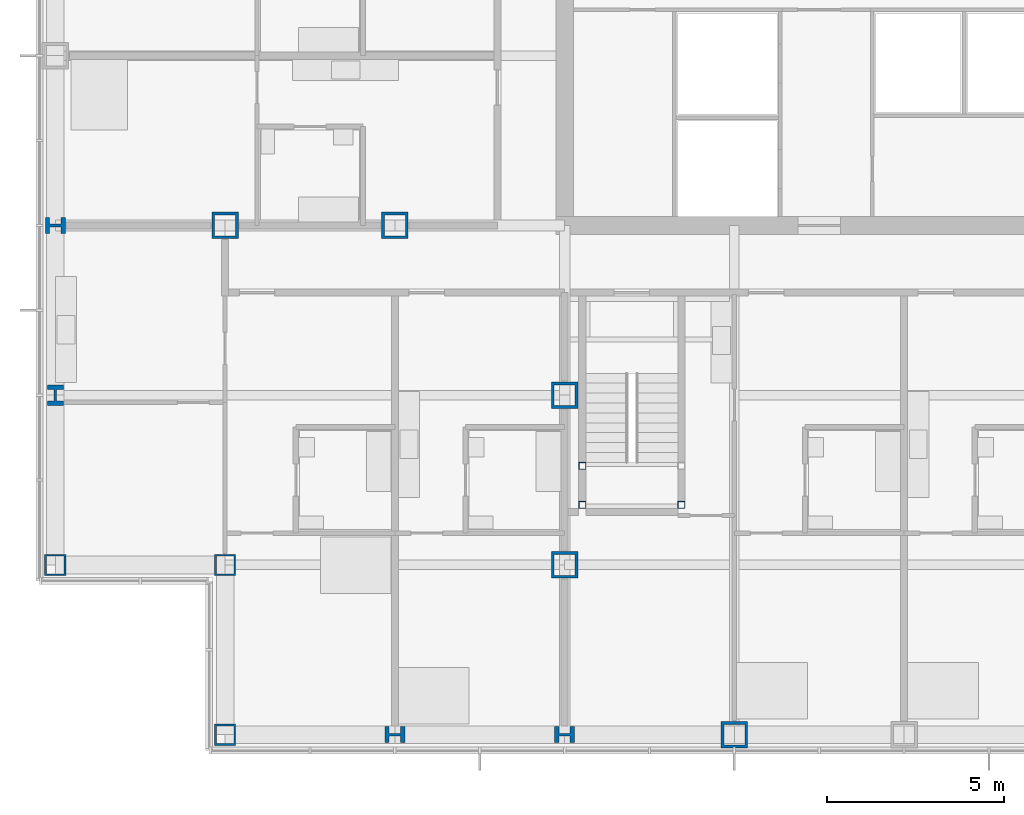
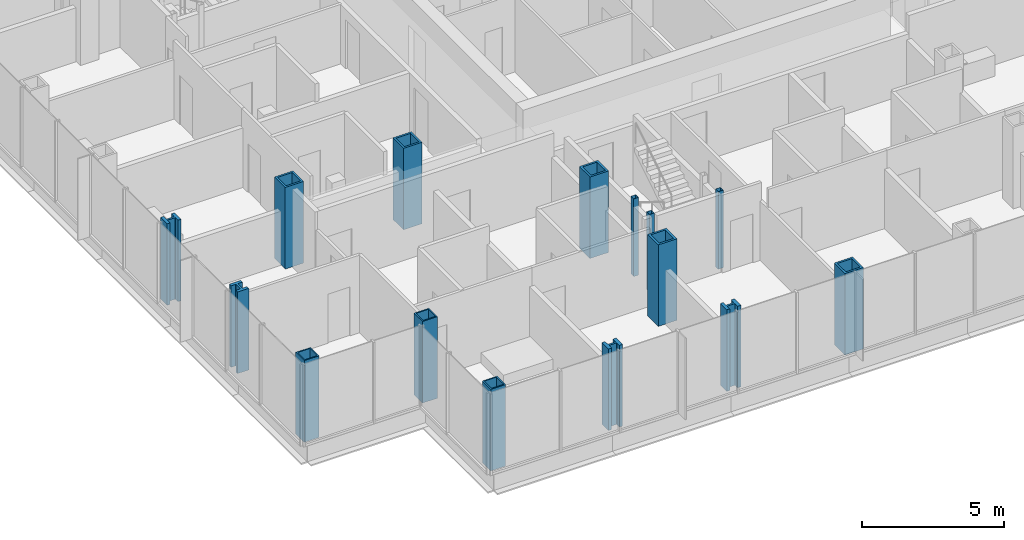
# One storey, part 1 of 21: 15 columns.
"""IFC4 building model written with IfcOpenShell, lengths in metres."""

from ifc_helpers import new_model, si_unit, direction, frame, origin, origin_2d, place, context, subcontext, project, spatial, hollow_rectangle, i_section, extrude, material, material_profile, profile_set, type_object, element, save


model = new_model("IFC4")

# Units and contexts
model_context = context("Model", 3, precision=1e-05, world=origin(), true_north=direction((0.0, 1.0)))
body_context = subcontext(model_context, "Body", "Model", "MODEL_VIEW")
ifc_project = project(units=[si_unit("LENGTHUNIT", "METRE"), si_unit("AREAUNIT", "SQUARE_METRE"), si_unit("VOLUMEUNIT", "CUBIC_METRE"), si_unit("PLANEANGLEUNIT", "RADIAN"), si_unit("MASSUNIT", "GRAM", prefix="KILO")], contexts=[model_context])

# Site, building, storey
site_placement = place(None, origin())
site = spatial("IfcSite", under=ifc_project, at=site_placement, CompositionType="ELEMENT")
building_placement = place(site_placement, origin())
building = spatial("IfcBuilding", under=site, at=building_placement, Name="Kvirike Care Tower", CompositionType="ELEMENT")
storey_placement = place(building_placement, frame((0.0, 0.0, 30.5)))
storey = spatial("IfcBuildingStorey", under=building, at=storey_placement, Name="L07", CompositionType="ELEMENT", Elevation=30.5)

# Columns
ifc_material_1 = material(Name="Steel S460", Category="steel")
ifc_material_profile_1 = material_profile(ifc_material_1, hollow_rectangle(XDim=0.60009765625, YDim=0.60009765625, WallThickness=0.050048828125, at=origin_2d()), Name="BX 600x600x50")
ifc_profile_set_1 = profile_set([ifc_material_profile_1], Name="Steel S460")
column_type_1 = type_object("IfcColumnType", Name="COLUMN BX 600x600x50", PredefinedType="COLUMN", material=ifc_profile_set_1)
for number, where, z_axis, x_axis, name in (
    (1, (0.0, 19.199951171875, 0.0), (0.0, 0.0, 1.0), (0.0, 1.0, 0.0), "Column E3 L07"),
    (2, (4.800048828125, 14.39990234375, 0.0), (0.0, 0.0, 1.0), (0.0, 1.0, 0.0), "Column D4 L07"),
    (3, (4.800048828125, 19.199951171875, 0.0), (0.0, 0.0, 1.0), (0.0, 1.0, 0.0), "Column E4 L07"),
):
    element("IfcColumn", number, at=place(storey_placement, frame(where, z_axis=z_axis, x_axis=x_axis)), inside=storey, type_object=column_type_1, Name=name, PredefinedType="COLUMN", context=body_context, shape_type="SweptSolid", body=[
        extrude(hollow_rectangle(XDim=0.60009765625, YDim=0.60009765625, WallThickness=0.050048828125, at=origin_2d()), origin(), (0.0, 0.0, 1.0), 3.5),
    ])
ifc_material_2 = material(Name="Steel S460", Category="steel")
ifc_material_profile_2 = material_profile(ifc_material_2, hollow_rectangle(XDim=0.75, YDim=0.75, WallThickness=0.080078125, at=origin_2d()), Name="BX 750x750x80")
ifc_profile_set_2 = profile_set([ifc_material_profile_2], Name="Steel S460")
column_type_2 = type_object("IfcColumnType", Name="COLUMN BX 750x750x80", PredefinedType="COLUMN", material=ifc_profile_set_2)
for number, where, z_axis, x_axis, name in (
    (4, (4.800048828125, 28.800048828125, 0.0), (0.0, 0.0, 1.0), (0.0, 1.0, 0.0), "Column G4 L07"),
    (5, (9.60009765625, 28.800048828125, 0.0), (0.0, 0.0, 1.0), (0.0, 1.0, 0.0), "Column G5 L07"),
    (6, (14.39990234375, 19.199951171875, 0.0), (0.0, 0.0, 1.0), (1.0, 0.0, 0.0), "Column E6 L07"),
    (7, (14.39990234375, 24.0, 0.0), (0.0, 0.0, 1.0), (1.0, 0.0, 0.0), "Column F6 L07"),
    (8, (19.199951171875, 14.39990234375, 0.0), (0.0, 0.0, 1.0), (0.0, 1.0, 0.0), "Column D7 L07"),
):
    element("IfcColumn", number, at=place(storey_placement, frame(where, z_axis=z_axis, x_axis=x_axis)), inside=storey, type_object=column_type_2, Name=name, PredefinedType="COLUMN", context=body_context, shape_type="SweptSolid", body=[
        extrude(hollow_rectangle(XDim=0.75, YDim=0.75, WallThickness=0.080078125, at=origin_2d()), origin(), (0.0, 0.0, 1.0), 3.5),
    ])
ifc_material_3 = material(Name="Steel S460", Category="steel")
ifc_material_profile_3 = material_profile(ifc_material_3, i_section(OverallWidth=0.4541015625, OverallDepth=0.569091796875, WebThickness=0.077880859375, FlangeThickness=0.125, FilletRadius=0.014892578125, at=origin_2d()), Name="HD 400x1086")
ifc_profile_set_3 = profile_set([ifc_material_profile_3], Name="Steel S460")
column_type_3 = type_object("IfcColumnType", Name="COLUMN HD 400x1086", PredefinedType="COLUMN", material=ifc_profile_set_3)
for number, where, z_axis, x_axis, name in (
    (9, (0.0, 24.0, 0.0), (0.0, 0.0, 1.0), (1.0, 0.0, 0.0), "Column F3 L07"),
    (10, (0.0, 28.800048828125, 0.0), (0.0, 0.0, 1.0), (0.0, 1.0, 0.0), "Column G3 L07"),
    (11, (9.60009765625, 14.39990234375, 0.0), (0.0, 0.0, 1.0), (0.0, 1.0, 0.0), "Column D5 L07"),
    (12, (14.39990234375, 14.39990234375, 0.0), (0.0, 0.0, 1.0), (0.0, 1.0, 0.0), "Column D6 L07"),
):
    element("IfcColumn", number, at=place(storey_placement, frame(where, z_axis=z_axis, x_axis=x_axis)), inside=storey, type_object=column_type_3, Name=name, PredefinedType="COLUMN", context=body_context, shape_type="SweptSolid", body=[
        extrude(i_section(OverallWidth=0.4541015625, OverallDepth=0.569091796875, WebThickness=0.077880859375, FlangeThickness=0.125, FilletRadius=0.014892578125, at=origin_2d()), origin(), (0.0, 0.0, 1.0), 3.5),
    ])
ifc_material_4 = material(Name="Steel S460", Category="steel")
ifc_material_profile_4 = material_profile(ifc_material_4, hollow_rectangle(XDim=0.199951171875, YDim=0.199951171875, WallThickness=0.008056640625, at=origin_2d()), Name="SHS 200x200x8")
ifc_profile_set_4 = profile_set([ifc_material_profile_4], Name="Steel S460")
column_type_4 = type_object("IfcColumnType", Name="STAIR POST SHS 200x200x8", PredefinedType="COLUMN", material=ifc_profile_set_4)
for number, where, z_axis, x_axis, name in (
    (13, (14.89990234375, 20.89990234375, 0.0), (0.0, 0.0, 1.0), (1.0, 0.0, 0.0), "Stair 5 post 1 L07"),
    (14, (17.699951171875, 20.89990234375, 0.0), (0.0, 0.0, 1.0), (1.0, 0.0, 0.0), "Stair 5 post 2 L07"),
    (15, (14.89990234375, 22.0, 0.0), (0.0, 0.0, 1.0), (1.0, 0.0, 0.0), "Stair 5 post 3 L07"),
):
    element("IfcColumn", number, at=place(storey_placement, frame(where, z_axis=z_axis, x_axis=x_axis)), inside=storey, type_object=column_type_4, Name=name, PredefinedType="COLUMN", context=body_context, shape_type="SweptSolid", body=[
        extrude(hollow_rectangle(XDim=0.199951171875, YDim=0.199951171875, WallThickness=0.008056640625, at=origin_2d()), origin(), (0.0, 0.0, 1.0), 3.330078125),
    ])

save(model, "model.ifc")
